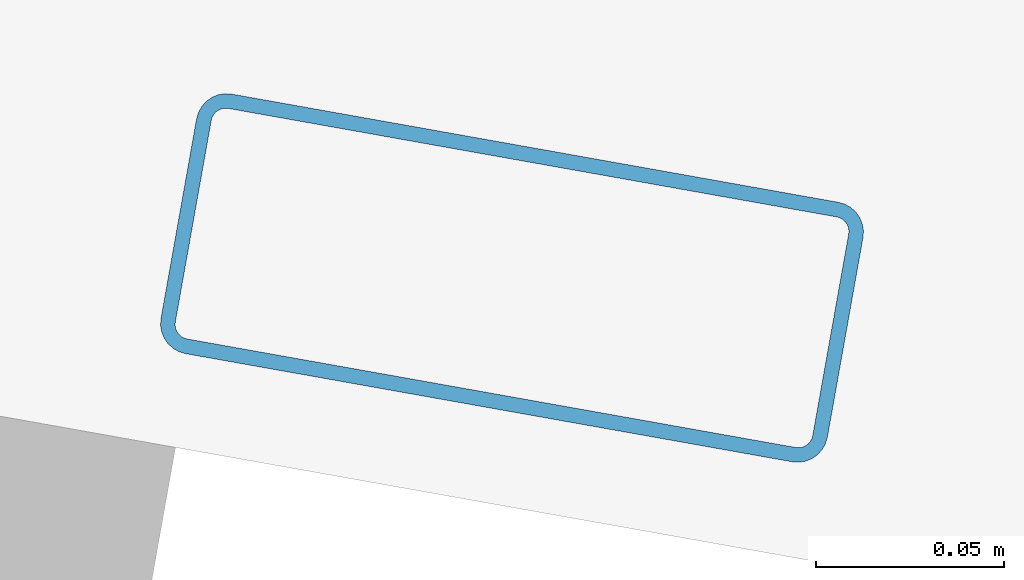
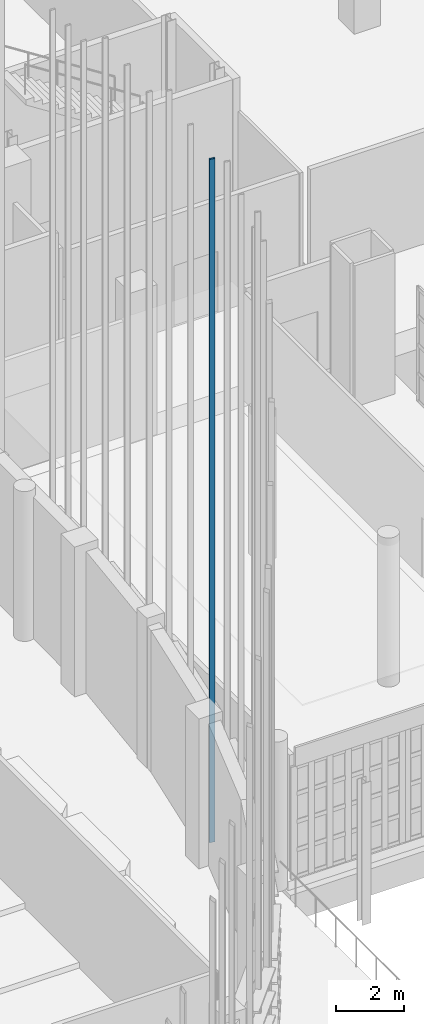
# One storey, part 112 of 372: 1 member.
"""IFC4 building model written with IfcOpenShell, lengths in metres."""

from ifc_helpers import new_model, si_unit, direction, frame, origin, origin_2d, place, context, subcontext, project, spatial, hollow_rectangle, extrude, material, material_profile, profile_set, type_object, element, save


model = new_model("IFC4")

# Units and contexts
model_context = context("Model", 3, precision=1e-05, world=origin(), true_north=direction((0.0, 1.0)))
body_context = subcontext(model_context, "Body", "Model", "MODEL_VIEW")
ifc_project = project(units=[si_unit("LENGTHUNIT", "METRE"), si_unit("AREAUNIT", "SQUARE_METRE"), si_unit("VOLUMEUNIT", "CUBIC_METRE"), si_unit("PLANEANGLEUNIT", "RADIAN"), si_unit("MASSUNIT", "GRAM", prefix="KILO")], contexts=[model_context])

# Site, building, storey
site_placement = place(None, origin())
site = spatial("IfcSite", under=ifc_project, at=site_placement, CompositionType="ELEMENT")
building_placement = place(site_placement, origin())
building = spatial("IfcBuilding", under=site, at=building_placement, Name="Kaelora Sail Theatre", CompositionType="ELEMENT")
storey_placement = place(building_placement, origin())
storey = spatial("IfcBuildingStorey", under=building, at=storey_placement, Name="L00", CompositionType="ELEMENT", Elevation=0.0)

# Member
ifc_material = material(Name="Anodised aluminium 6063-T6", Category="aluminium")
ifc_material_profile = material_profile(ifc_material, hollow_rectangle(XDim=0.070068359375, YDim=0.179931640625, WallThickness=0.00390625, InnerFilletRadius=0.00390625, OuterFilletRadius=0.008056640625, at=origin_2d()), Name="ALU-MULL 70x180x4")
ifc_profile_set = profile_set([ifc_material_profile], Name="Anodised aluminium 6063-T6")
member_type = type_object("IfcMemberType", Name="ARC-MEM-PST-160", PredefinedType="POST", material=ifc_profile_set)
member_placement = place(storey_placement, frame((57.67578125, 41.61279296875, 0.0), z_axis=(0.0, 0.0, 1.0), x_axis=(-0.17553855164, -0.984472557712, 0.0)))
element("IfcMember", 1, at=member_placement, inside=storey, type_object=member_type, Name="Main Theatre Sail Drum solar louvre vertical support post C4-3", PredefinedType="POST", context=body_context, shape_type="SweptSolid", body=[
    extrude(hollow_rectangle(XDim=0.070068359375, YDim=0.179931640625, WallThickness=0.00390625, InnerFilletRadius=0.00390625, OuterFilletRadius=0.008056640625, at=origin_2d()), origin(), (0.0, 0.0, 1.0), 24.617919921875),
])

save(model, "model.ifc")
